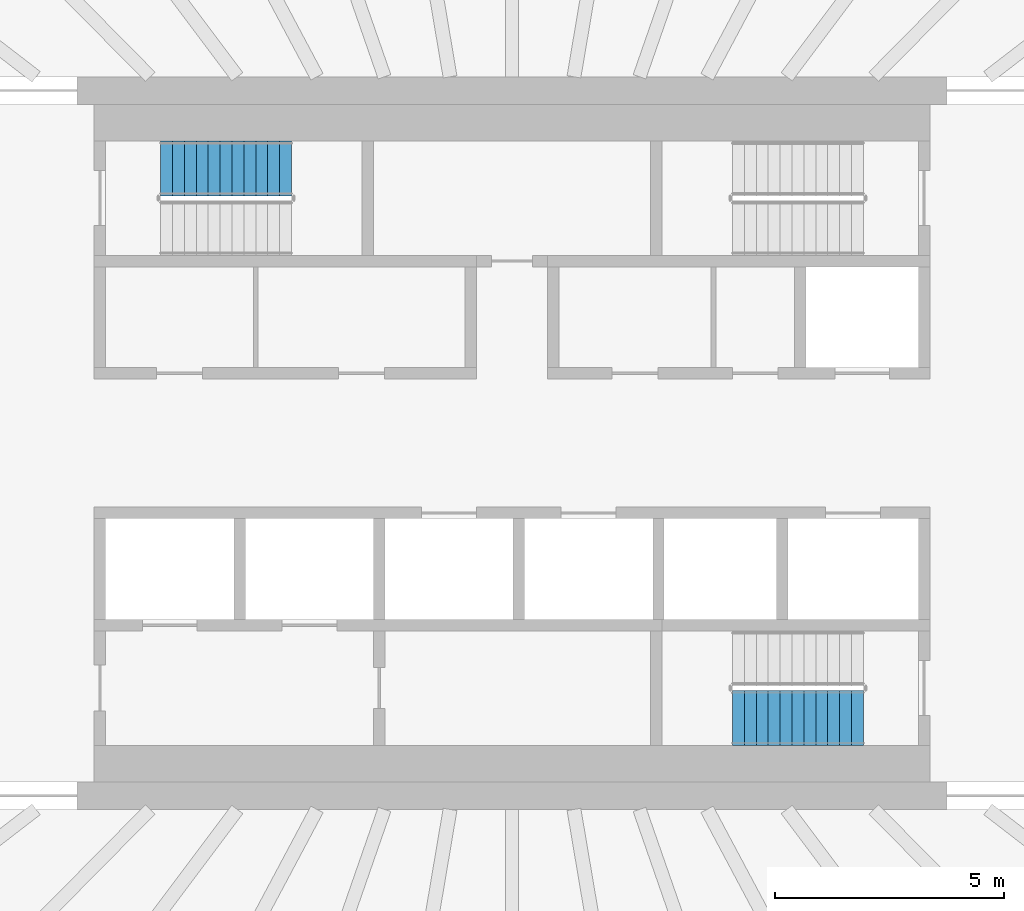
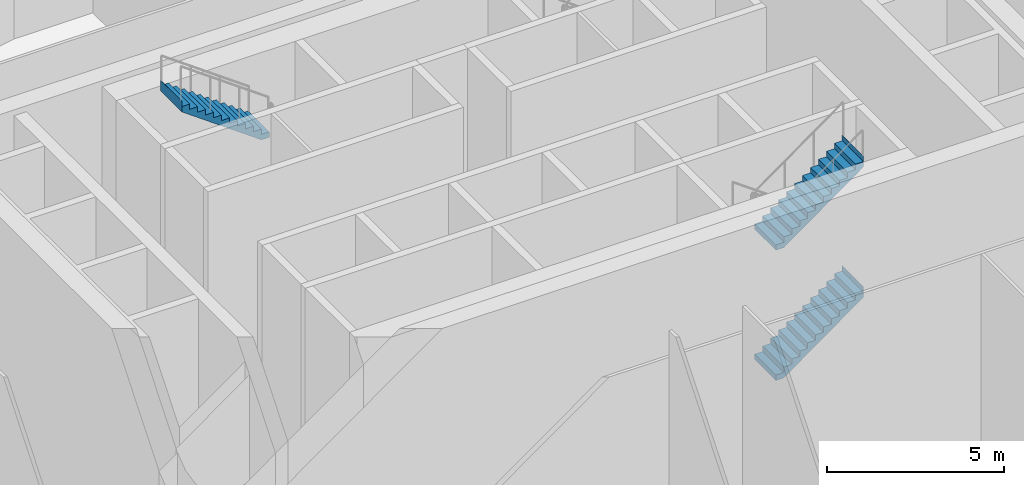
# One storey, part 20 of 35: 3 stair flights, 2 elements without a shape of their own.
"""IFC4 building model written with IfcOpenShell, lengths in metres."""

from ifc_helpers import new_model, si_unit, direction, frame, origin, place, context, subcontext, project, spatial, triangles, material, type_object, element, aggregate, save


model = new_model("IFC4")

# Units and contexts
model_context = context("Model", 3, precision=1e-05, world=origin(), true_north=direction((0.0, 1.0)))
body_context = subcontext(model_context, "Body", "Model", "MODEL_VIEW")
ifc_project = project(units=[si_unit("LENGTHUNIT", "METRE"), si_unit("AREAUNIT", "SQUARE_METRE"), si_unit("VOLUMEUNIT", "CUBIC_METRE"), si_unit("PLANEANGLEUNIT", "RADIAN"), si_unit("MASSUNIT", "GRAM", prefix="KILO")], contexts=[model_context])

# Site, building, storey
site_placement = place(None, origin())
site = spatial("IfcSite", under=ifc_project, at=site_placement, CompositionType="ELEMENT")
building_placement = place(site_placement, origin())
building = spatial("IfcBuilding", under=site, at=building_placement, Name="Sahrelin Media Tower", CompositionType="ELEMENT")
storey_placement = place(building_placement, frame((0.0, 0.0, 8.0)))
storey = spatial("IfcBuildingStorey", under=building, at=storey_placement, Name="L01", CompositionType="ELEMENT", Elevation=8.0)

# Stair, stair flight
ifc_material = material(Name="Concrete C40/50", Category="concrete")
stair_type = type_object("IfcStairType", Name="Exit stair 1200", PredefinedType="HALF_TURN_STAIR", material=ifc_material)
placement = place(storey_placement, origin())
stair_1 = element("IfcStair", 1, at=placement, inside=storey, type_object=stair_type, Name="L01 Exit stair ST1", PredefinedType="HALF_TURN_STAIR")
stair_flight_type = type_object("IfcStairFlightType", Name="Stair flight 1200", PredefinedType="STRAIGHT", material=ifc_material)
stair_flight_1_placement = place(storey_placement, frame((-4.81494140625, 6.0, 6.75), z_axis=(0.0, 0.0, 1.0), x_axis=(-1.0, 0.0, 0.0)))
stair_flight_1 = element("IfcStairFlight", 2, at=stair_flight_1_placement, type_object=stair_flight_type, Name="ST1 flight 4", NumberOfRisers=12, NumberOfTreads=11, PredefinedType="STRAIGHT", RiserHeight=0.1875, TreadLength=0.26, context=body_context, shape_type="Tessellation", body=[
    triangles([(0.25634765625, 0.60009765625, 0.0), (0.25634765625, 0.300048828125, 0.0), (0.25634765625, 0.0, 0.0), (0.25634765625, -0.300048828125, 0.0), (0.25634765625, -0.60009765625, 0.0), (2.860107421875, 0.60009765625, 1.877685546875), (2.860107421875, 0.300048828125, 1.877685546875), (2.860107421875, 0.0, 1.877685546875), (2.860107421875, -0.300048828125, 1.877685546875), (2.860107421875, -0.60009765625, 1.877685546875), (2.860107421875, 0.60009765625, 2.25), (2.860107421875, 0.300048828125, 2.25), (2.860107421875, 0.0, 2.25), (2.860107421875, -0.300048828125, 2.25), (2.860107421875, -0.60009765625, 2.25), (2.85791015625, 0.60009765625, 2.25), (2.85791015625, 0.300048828125, 2.25), (2.85791015625, 0.0, 2.25), (2.85791015625, -0.300048828125, 2.25), (2.85791015625, -0.60009765625, 2.25), (2.85791015625, 0.60009765625, 2.0625), (2.85791015625, 0.300048828125, 2.0625), (2.85791015625, 0.0, 2.0625), (2.85791015625, -0.300048828125, 2.0625), (2.85791015625, -0.60009765625, 2.0625), (2.60009765625, 0.60009765625, 2.0625), (2.60009765625, 0.300048828125, 2.0625), (2.60009765625, 0.0, 2.0625), (2.60009765625, -0.300048828125, 2.0625), (2.60009765625, -0.60009765625, 2.0625), (2.60009765625, 0.60009765625, 1.875), (2.60009765625, 0.300048828125, 1.875), (2.60009765625, 0.0, 1.875), (2.60009765625, -0.300048828125, 1.875), (2.60009765625, -0.60009765625, 1.875), (2.340087890625, 0.60009765625, 1.875), (2.340087890625, 0.300048828125, 1.875), (2.340087890625, 0.0, 1.875), (2.340087890625, -0.300048828125, 1.875), (2.340087890625, -0.60009765625, 1.875), (2.340087890625, 0.60009765625, 1.6875), (2.340087890625, 0.300048828125, 1.6875), (2.340087890625, 0.0, 1.6875), (2.340087890625, -0.300048828125, 1.6875), (2.340087890625, -0.60009765625, 1.6875), (2.080078125, 0.60009765625, 1.6875), (2.080078125, 0.300048828125, 1.6875), (2.080078125, 0.0, 1.6875), (2.080078125, -0.300048828125, 1.6875), (2.080078125, -0.60009765625, 1.6875), (2.080078125, 0.60009765625, 1.5), (2.080078125, 0.300048828125, 1.5), (2.080078125, 0.0, 1.5), (2.080078125, -0.300048828125, 1.5), (2.080078125, -0.60009765625, 1.5), (1.820068359375, 0.60009765625, 1.5), (1.820068359375, 0.300048828125, 1.5), (1.820068359375, 0.0, 1.5), (1.820068359375, -0.300048828125, 1.5), (1.820068359375, -0.60009765625, 1.5), (1.820068359375, 0.60009765625, 1.3125), (1.820068359375, 0.300048828125, 1.3125), (1.820068359375, 0.0, 1.3125), (1.820068359375, -0.300048828125, 1.3125), (1.820068359375, -0.60009765625, 1.3125), (1.56005859375, 0.60009765625, 1.3125), (1.56005859375, 0.300048828125, 1.3125), (1.56005859375, 0.0, 1.3125), (1.56005859375, -0.300048828125, 1.3125), (1.56005859375, -0.60009765625, 1.3125), (1.56005859375, 0.60009765625, 1.125), (1.56005859375, 0.300048828125, 1.125), (1.56005859375, 0.0, 1.125), (1.56005859375, -0.300048828125, 1.125), (1.56005859375, -0.60009765625, 1.125), (1.300048828125, 0.60009765625, 1.125), (1.300048828125, 0.300048828125, 1.125), (1.300048828125, 0.0, 1.125), (1.300048828125, -0.300048828125, 1.125), (1.300048828125, -0.60009765625, 1.125), (1.300048828125, 0.60009765625, 0.9375), (1.300048828125, 0.300048828125, 0.9375), (1.300048828125, 0.0, 0.9375), (1.300048828125, -0.300048828125, 0.9375), (1.300048828125, -0.60009765625, 0.9375), (1.0400390625, 0.60009765625, 0.9375), (1.0400390625, 0.300048828125, 0.9375), (1.0400390625, 0.0, 0.9375), (1.0400390625, -0.300048828125, 0.9375), (1.0400390625, -0.60009765625, 0.9375), (1.0400390625, 0.60009765625, 0.75), (1.0400390625, 0.300048828125, 0.75), (1.0400390625, 0.0, 0.75), (1.0400390625, -0.300048828125, 0.75), (1.0400390625, -0.60009765625, 0.75), (0.780029296875, 0.60009765625, 0.75), (0.780029296875, 0.300048828125, 0.75), (0.780029296875, 0.0, 0.75), (0.780029296875, -0.300048828125, 0.75), (0.780029296875, -0.60009765625, 0.75), (0.780029296875, 0.60009765625, 0.5625), (0.780029296875, 0.300048828125, 0.5625), (0.780029296875, 0.0, 0.5625), (0.780029296875, -0.300048828125, 0.5625), (0.780029296875, -0.60009765625, 0.5625), (0.52001953125, 0.60009765625, 0.5625), (0.52001953125, 0.300048828125, 0.5625), (0.52001953125, 0.0, 0.5625), (0.52001953125, -0.300048828125, 0.5625), (0.52001953125, -0.60009765625, 0.5625), (0.52001953125, 0.60009765625, 0.375), (0.52001953125, 0.300048828125, 0.375), (0.52001953125, 0.0, 0.375), (0.52001953125, -0.300048828125, 0.375), (0.52001953125, -0.60009765625, 0.375), (0.260009765625, 0.60009765625, 0.375), (0.260009765625, 0.300048828125, 0.375), (0.260009765625, 0.0, 0.375), (0.260009765625, -0.300048828125, 0.375), (0.260009765625, -0.60009765625, 0.375), (0.260009765625, 0.60009765625, 0.1875), (0.260009765625, 0.300048828125, 0.1875), (0.260009765625, 0.0, 0.1875), (0.260009765625, -0.300048828125, 0.1875), (0.260009765625, -0.60009765625, 0.1875), (0.0, 0.60009765625, 0.1875), (0.0, 0.300048828125, 0.1875), (0.0, 0.0, 0.1875), (0.0, -0.300048828125, 0.1875), (0.0, -0.60009765625, 0.1875), (0.0, 0.60009765625, 0.0), (0.0, 0.300048828125, 0.0), (0.0, 0.0, 0.0), (0.0, -0.300048828125, 0.0), (0.0, -0.60009765625, 0.0)], [[1, 6, 7], [1, 7, 2], [2, 7, 8], [2, 8, 3], [3, 8, 9], [3, 9, 4], [4, 9, 10], [4, 10, 5], [6, 11, 12], [6, 12, 7], [7, 12, 13], [7, 13, 8], [8, 13, 14], [8, 14, 9], [9, 14, 15], [9, 15, 10], [11, 16, 17], [11, 17, 12], [12, 17, 18], [12, 18, 13], [13, 18, 19], [13, 19, 14], [14, 19, 20], [14, 20, 15], [16, 21, 22], [16, 22, 17], [17, 22, 23], [17, 23, 18], [18, 23, 24], [18, 24, 19], [19, 24, 25], [19, 25, 20], [21, 26, 27], [21, 27, 22], [22, 27, 28], [22, 28, 23], [23, 28, 29], [23, 29, 24], [24, 29, 30], [24, 30, 25], [26, 31, 32], [26, 32, 27], [27, 32, 33], [27, 33, 28], [28, 33, 34], [28, 34, 29], [29, 34, 35], [29, 35, 30], [31, 36, 37], [31, 37, 32], [32, 37, 38], [32, 38, 33], [33, 38, 39], [33, 39, 34], [34, 39, 40], [34, 40, 35], [36, 41, 42], [36, 42, 37], [37, 42, 43], [37, 43, 38], [38, 43, 44], [38, 44, 39], [39, 44, 45], [39, 45, 40], [41, 46, 47], [41, 47, 42], [42, 47, 48], [42, 48, 43], [43, 48, 49], [43, 49, 44], [44, 49, 50], [44, 50, 45], [46, 51, 52], [46, 52, 47], [47, 52, 53], [47, 53, 48], [48, 53, 54], [48, 54, 49], [49, 54, 55], [49, 55, 50], [51, 56, 57], [51, 57, 52], [52, 57, 58], [52, 58, 53], [53, 58, 59], [53, 59, 54], [54, 59, 60], [54, 60, 55], [56, 61, 62], [56, 62, 57], [57, 62, 63], [57, 63, 58], [58, 63, 64], [58, 64, 59], [59, 64, 65], [59, 65, 60], [61, 66, 67], [61, 67, 62], [62, 67, 68], [62, 68, 63], [63, 68, 69], [63, 69, 64], [64, 69, 70], [64, 70, 65], [66, 71, 72], [66, 72, 67], [67, 72, 73], [67, 73, 68], [68, 73, 74], [68, 74, 69], [69, 74, 75], [69, 75, 70], [71, 76, 77], [71, 77, 72], [72, 77, 78], [72, 78, 73], [73, 78, 79], [73, 79, 74], [74, 79, 80], [74, 80, 75], [76, 81, 82], [76, 82, 77], [77, 82, 83], [77, 83, 78], [78, 83, 84], [78, 84, 79], [79, 84, 85], [79, 85, 80], [81, 86, 87], [81, 87, 82], [82, 87, 88], [82, 88, 83], [83, 88, 89], [83, 89, 84], [84, 89, 90], [84, 90, 85], [86, 91, 92], [86, 92, 87], [87, 92, 93], [87, 93, 88], [88, 93, 94], [88, 94, 89], [89, 94, 95], [89, 95, 90], [91, 96, 97], [91, 97, 92], [92, 97, 98], [92, 98, 93], [93, 98, 99], [93, 99, 94], [94, 99, 100], [94, 100, 95], [96, 101, 102], [96, 102, 97], [97, 102, 103], [97, 103, 98], [98, 103, 104], [98, 104, 99], [99, 104, 105], [99, 105, 100], [101, 106, 107], [101, 107, 102], [102, 107, 108], [102, 108, 103], [103, 108, 109], [103, 109, 104], [104, 109, 110], [104, 110, 105], [106, 111, 112], [106, 112, 107], [107, 112, 113], [107, 113, 108], [108, 113, 114], [108, 114, 109], [109, 114, 115], [109, 115, 110], [111, 116, 117], [111, 117, 112], [112, 117, 118], [112, 118, 113], [113, 118, 119], [113, 119, 114], [114, 119, 120], [114, 120, 115], [116, 121, 122], [116, 122, 117], [117, 122, 123], [117, 123, 118], [118, 123, 124], [118, 124, 119], [119, 124, 125], [119, 125, 120], [121, 126, 127], [121, 127, 122], [122, 127, 128], [122, 128, 123], [123, 128, 129], [123, 129, 124], [124, 129, 130], [124, 130, 125], [126, 131, 132], [126, 132, 127], [127, 132, 133], [127, 133, 128], [128, 133, 134], [128, 134, 129], [129, 134, 135], [129, 135, 130], [131, 1, 2], [131, 2, 132], [132, 2, 3], [132, 3, 133], [133, 3, 4], [133, 4, 134], [134, 4, 5], [134, 5, 135], [5, 130, 135], [1, 131, 126], [125, 115, 120], [121, 116, 111], [115, 105, 110], [111, 106, 101], [105, 95, 100], [101, 96, 91], [95, 85, 90], [91, 86, 81], [85, 75, 80], [81, 76, 71], [75, 65, 70], [71, 66, 61], [65, 55, 60], [61, 56, 51], [55, 45, 50], [51, 46, 41], [45, 35, 40], [41, 36, 31], [35, 25, 30], [31, 26, 21], [25, 15, 20], [21, 16, 11], [5, 125, 130], [1, 126, 121], [10, 35, 45], [6, 41, 31], [25, 10, 15], [21, 11, 6], [115, 125, 5], [111, 1, 121], [35, 10, 25], [31, 21, 6], [105, 115, 5], [101, 1, 111], [45, 55, 10], [41, 6, 51], [95, 105, 5], [91, 1, 101], [65, 10, 55], [61, 51, 6], [85, 95, 5], [81, 1, 91], [75, 10, 65], [71, 61, 6], [75, 85, 5], [71, 1, 81], [5, 10, 75], [1, 71, 6]], closed=True),
])
aggregate(stair_1, [stair_flight_1])

# Stair, stair flights
stair_2 = element("IfcStair", 3, at=placement, inside=storey, type_object=stair_type, Name="L01 Exit stair ST2", PredefinedType="HALF_TURN_STAIR")
stair_flight_2_placement = place(storey_placement, frame((4.81494140625, -6.0, 2.25), z_axis=(0.0, 0.0, 1.0), x_axis=(1.0, 0.0, 0.0)))
stair_flight_2 = element("IfcStairFlight", 4, at=stair_flight_2_placement, type_object=stair_flight_type, Name="ST2 flight 2", NumberOfRisers=12, NumberOfTreads=11, PredefinedType="STRAIGHT", RiserHeight=0.1875, TreadLength=0.26, context=body_context, shape_type="Tessellation", body=[
    triangles([(0.25634765625, 0.60009765625, 0.0), (0.25634765625, 0.300048828125, 0.0), (0.25634765625, 0.0, 0.0), (0.25634765625, -0.300048828125, 0.0), (0.25634765625, -0.60009765625, 0.0), (2.860107421875, 0.60009765625, 1.877685546875), (2.860107421875, 0.300048828125, 1.877685546875), (2.860107421875, 0.0, 1.877685546875), (2.860107421875, -0.300048828125, 1.877685546875), (2.860107421875, -0.60009765625, 1.877685546875), (2.860107421875, 0.60009765625, 2.25), (2.860107421875, 0.300048828125, 2.25), (2.860107421875, 0.0, 2.25), (2.860107421875, -0.300048828125, 2.25), (2.860107421875, -0.60009765625, 2.25), (2.85791015625, 0.60009765625, 2.25), (2.85791015625, 0.300048828125, 2.25), (2.85791015625, 0.0, 2.25), (2.85791015625, -0.300048828125, 2.25), (2.85791015625, -0.60009765625, 2.25), (2.85791015625, 0.60009765625, 2.0625), (2.85791015625, 0.300048828125, 2.0625), (2.85791015625, 0.0, 2.0625), (2.85791015625, -0.300048828125, 2.0625), (2.85791015625, -0.60009765625, 2.0625), (2.60009765625, 0.60009765625, 2.0625), (2.60009765625, 0.300048828125, 2.0625), (2.60009765625, 0.0, 2.0625), (2.60009765625, -0.300048828125, 2.0625), (2.60009765625, -0.60009765625, 2.0625), (2.60009765625, 0.60009765625, 1.875), (2.60009765625, 0.300048828125, 1.875), (2.60009765625, 0.0, 1.875), (2.60009765625, -0.300048828125, 1.875), (2.60009765625, -0.60009765625, 1.875), (2.340087890625, 0.60009765625, 1.875), (2.340087890625, 0.300048828125, 1.875), (2.340087890625, 0.0, 1.875), (2.340087890625, -0.300048828125, 1.875), (2.340087890625, -0.60009765625, 1.875), (2.340087890625, 0.60009765625, 1.6875), (2.340087890625, 0.300048828125, 1.6875), (2.340087890625, 0.0, 1.6875), (2.340087890625, -0.300048828125, 1.6875), (2.340087890625, -0.60009765625, 1.6875), (2.080078125, 0.60009765625, 1.6875), (2.080078125, 0.300048828125, 1.6875), (2.080078125, 0.0, 1.6875), (2.080078125, -0.300048828125, 1.6875), (2.080078125, -0.60009765625, 1.6875), (2.080078125, 0.60009765625, 1.5), (2.080078125, 0.300048828125, 1.5), (2.080078125, 0.0, 1.5), (2.080078125, -0.300048828125, 1.5), (2.080078125, -0.60009765625, 1.5), (1.820068359375, 0.60009765625, 1.5), (1.820068359375, 0.300048828125, 1.5), (1.820068359375, 0.0, 1.5), (1.820068359375, -0.300048828125, 1.5), (1.820068359375, -0.60009765625, 1.5), (1.820068359375, 0.60009765625, 1.3125), (1.820068359375, 0.300048828125, 1.3125), (1.820068359375, 0.0, 1.3125), (1.820068359375, -0.300048828125, 1.3125), (1.820068359375, -0.60009765625, 1.3125), (1.56005859375, 0.60009765625, 1.3125), (1.56005859375, 0.300048828125, 1.3125), (1.56005859375, 0.0, 1.3125), (1.56005859375, -0.300048828125, 1.3125), (1.56005859375, -0.60009765625, 1.3125), (1.56005859375, 0.60009765625, 1.125), (1.56005859375, 0.300048828125, 1.125), (1.56005859375, 0.0, 1.125), (1.56005859375, -0.300048828125, 1.125), (1.56005859375, -0.60009765625, 1.125), (1.300048828125, 0.60009765625, 1.125), (1.300048828125, 0.300048828125, 1.125), (1.300048828125, 0.0, 1.125), (1.300048828125, -0.300048828125, 1.125), (1.300048828125, -0.60009765625, 1.125), (1.300048828125, 0.60009765625, 0.9375), (1.300048828125, 0.300048828125, 0.9375), (1.300048828125, 0.0, 0.9375), (1.300048828125, -0.300048828125, 0.9375), (1.300048828125, -0.60009765625, 0.9375), (1.0400390625, 0.60009765625, 0.9375), (1.0400390625, 0.300048828125, 0.9375), (1.0400390625, 0.0, 0.9375), (1.0400390625, -0.300048828125, 0.9375), (1.0400390625, -0.60009765625, 0.9375), (1.0400390625, 0.60009765625, 0.75), (1.0400390625, 0.300048828125, 0.75), (1.0400390625, 0.0, 0.75), (1.0400390625, -0.300048828125, 0.75), (1.0400390625, -0.60009765625, 0.75), (0.780029296875, 0.60009765625, 0.75), (0.780029296875, 0.300048828125, 0.75), (0.780029296875, 0.0, 0.75), (0.780029296875, -0.300048828125, 0.75), (0.780029296875, -0.60009765625, 0.75), (0.780029296875, 0.60009765625, 0.5625), (0.780029296875, 0.300048828125, 0.5625), (0.780029296875, 0.0, 0.5625), (0.780029296875, -0.300048828125, 0.5625), (0.780029296875, -0.60009765625, 0.5625), (0.52001953125, 0.60009765625, 0.5625), (0.52001953125, 0.300048828125, 0.5625), (0.52001953125, 0.0, 0.5625), (0.52001953125, -0.300048828125, 0.5625), (0.52001953125, -0.60009765625, 0.5625), (0.52001953125, 0.60009765625, 0.375), (0.52001953125, 0.300048828125, 0.375), (0.52001953125, 0.0, 0.375), (0.52001953125, -0.300048828125, 0.375), (0.52001953125, -0.60009765625, 0.375), (0.260009765625, 0.60009765625, 0.375), (0.260009765625, 0.300048828125, 0.375), (0.260009765625, 0.0, 0.375), (0.260009765625, -0.300048828125, 0.375), (0.260009765625, -0.60009765625, 0.375), (0.260009765625, 0.60009765625, 0.1875), (0.260009765625, 0.300048828125, 0.1875), (0.260009765625, 0.0, 0.1875), (0.260009765625, -0.300048828125, 0.1875), (0.260009765625, -0.60009765625, 0.1875), (0.0, 0.60009765625, 0.1875), (0.0, 0.300048828125, 0.1875), (0.0, 0.0, 0.1875), (0.0, -0.300048828125, 0.1875), (0.0, -0.60009765625, 0.1875), (0.0, 0.60009765625, 0.0), (0.0, 0.300048828125, 0.0), (0.0, 0.0, 0.0), (0.0, -0.300048828125, 0.0), (0.0, -0.60009765625, 0.0)], [[1, 6, 7], [1, 7, 2], [2, 7, 8], [2, 8, 3], [3, 8, 9], [3, 9, 4], [4, 9, 10], [4, 10, 5], [6, 11, 12], [6, 12, 7], [7, 12, 13], [7, 13, 8], [8, 13, 14], [8, 14, 9], [9, 14, 15], [9, 15, 10], [11, 16, 17], [11, 17, 12], [12, 17, 18], [12, 18, 13], [13, 18, 19], [13, 19, 14], [14, 19, 20], [14, 20, 15], [16, 21, 22], [16, 22, 17], [17, 22, 23], [17, 23, 18], [18, 23, 24], [18, 24, 19], [19, 24, 25], [19, 25, 20], [21, 26, 27], [21, 27, 22], [22, 27, 28], [22, 28, 23], [23, 28, 29], [23, 29, 24], [24, 29, 30], [24, 30, 25], [26, 31, 32], [26, 32, 27], [27, 32, 33], [27, 33, 28], [28, 33, 34], [28, 34, 29], [29, 34, 35], [29, 35, 30], [31, 36, 37], [31, 37, 32], [32, 37, 38], [32, 38, 33], [33, 38, 39], [33, 39, 34], [34, 39, 40], [34, 40, 35], [36, 41, 42], [36, 42, 37], [37, 42, 43], [37, 43, 38], [38, 43, 44], [38, 44, 39], [39, 44, 45], [39, 45, 40], [41, 46, 47], [41, 47, 42], [42, 47, 48], [42, 48, 43], [43, 48, 49], [43, 49, 44], [44, 49, 50], [44, 50, 45], [46, 51, 52], [46, 52, 47], [47, 52, 53], [47, 53, 48], [48, 53, 54], [48, 54, 49], [49, 54, 55], [49, 55, 50], [51, 56, 57], [51, 57, 52], [52, 57, 58], [52, 58, 53], [53, 58, 59], [53, 59, 54], [54, 59, 60], [54, 60, 55], [56, 61, 62], [56, 62, 57], [57, 62, 63], [57, 63, 58], [58, 63, 64], [58, 64, 59], [59, 64, 65], [59, 65, 60], [61, 66, 67], [61, 67, 62], [62, 67, 68], [62, 68, 63], [63, 68, 69], [63, 69, 64], [64, 69, 70], [64, 70, 65], [66, 71, 72], [66, 72, 67], [67, 72, 73], [67, 73, 68], [68, 73, 74], [68, 74, 69], [69, 74, 75], [69, 75, 70], [71, 76, 77], [71, 77, 72], [72, 77, 78], [72, 78, 73], [73, 78, 79], [73, 79, 74], [74, 79, 80], [74, 80, 75], [76, 81, 82], [76, 82, 77], [77, 82, 83], [77, 83, 78], [78, 83, 84], [78, 84, 79], [79, 84, 85], [79, 85, 80], [81, 86, 87], [81, 87, 82], [82, 87, 88], [82, 88, 83], [83, 88, 89], [83, 89, 84], [84, 89, 90], [84, 90, 85], [86, 91, 92], [86, 92, 87], [87, 92, 93], [87, 93, 88], [88, 93, 94], [88, 94, 89], [89, 94, 95], [89, 95, 90], [91, 96, 97], [91, 97, 92], [92, 97, 98], [92, 98, 93], [93, 98, 99], [93, 99, 94], [94, 99, 100], [94, 100, 95], [96, 101, 102], [96, 102, 97], [97, 102, 103], [97, 103, 98], [98, 103, 104], [98, 104, 99], [99, 104, 105], [99, 105, 100], [101, 106, 107], [101, 107, 102], [102, 107, 108], [102, 108, 103], [103, 108, 109], [103, 109, 104], [104, 109, 110], [104, 110, 105], [106, 111, 112], [106, 112, 107], [107, 112, 113], [107, 113, 108], [108, 113, 114], [108, 114, 109], [109, 114, 115], [109, 115, 110], [111, 116, 117], [111, 117, 112], [112, 117, 118], [112, 118, 113], [113, 118, 119], [113, 119, 114], [114, 119, 120], [114, 120, 115], [116, 121, 122], [116, 122, 117], [117, 122, 123], [117, 123, 118], [118, 123, 124], [118, 124, 119], [119, 124, 125], [119, 125, 120], [121, 126, 127], [121, 127, 122], [122, 127, 128], [122, 128, 123], [123, 128, 129], [123, 129, 124], [124, 129, 130], [124, 130, 125], [126, 131, 132], [126, 132, 127], [127, 132, 133], [127, 133, 128], [128, 133, 134], [128, 134, 129], [129, 134, 135], [129, 135, 130], [131, 1, 2], [131, 2, 132], [132, 2, 3], [132, 3, 133], [133, 3, 4], [133, 4, 134], [134, 4, 5], [134, 5, 135], [5, 130, 135], [1, 131, 126], [125, 115, 120], [121, 116, 111], [115, 105, 110], [111, 106, 101], [105, 95, 100], [101, 96, 91], [95, 85, 90], [91, 86, 81], [85, 75, 80], [81, 76, 71], [75, 65, 70], [71, 66, 61], [65, 55, 60], [61, 56, 51], [55, 45, 50], [51, 46, 41], [45, 35, 40], [41, 36, 31], [35, 25, 30], [31, 26, 21], [25, 15, 20], [21, 16, 11], [5, 125, 130], [1, 126, 121], [10, 35, 45], [6, 41, 31], [25, 10, 15], [21, 11, 6], [115, 125, 5], [111, 1, 121], [35, 10, 25], [31, 21, 6], [105, 115, 5], [101, 1, 111], [45, 55, 10], [41, 6, 51], [95, 105, 5], [91, 1, 101], [65, 10, 55], [61, 51, 6], [85, 95, 5], [81, 1, 91], [75, 10, 65], [71, 61, 6], [75, 85, 5], [71, 1, 81], [5, 10, 75], [1, 71, 6]], closed=True),
])
stair_flight_3_placement = place(storey_placement, frame((4.81494140625, -6.0, 6.75), z_axis=(0.0, 0.0, 1.0), x_axis=(1.0, 0.0, 0.0)))
stair_flight_3 = element("IfcStairFlight", 5, at=stair_flight_3_placement, type_object=stair_flight_type, Name="ST2 flight 4", NumberOfRisers=12, NumberOfTreads=11, PredefinedType="STRAIGHT", RiserHeight=0.1875, TreadLength=0.26, context=body_context, shape_type="Tessellation", body=[
    triangles([(0.25634765625, 0.60009765625, 0.0), (0.25634765625, 0.300048828125, 0.0), (0.25634765625, 0.0, 0.0), (0.25634765625, -0.300048828125, 0.0), (0.25634765625, -0.60009765625, 0.0), (2.860107421875, 0.60009765625, 1.877685546875), (2.860107421875, 0.300048828125, 1.877685546875), (2.860107421875, 0.0, 1.877685546875), (2.860107421875, -0.300048828125, 1.877685546875), (2.860107421875, -0.60009765625, 1.877685546875), (2.860107421875, 0.60009765625, 2.25), (2.860107421875, 0.300048828125, 2.25), (2.860107421875, 0.0, 2.25), (2.860107421875, -0.300048828125, 2.25), (2.860107421875, -0.60009765625, 2.25), (2.85791015625, 0.60009765625, 2.25), (2.85791015625, 0.300048828125, 2.25), (2.85791015625, 0.0, 2.25), (2.85791015625, -0.300048828125, 2.25), (2.85791015625, -0.60009765625, 2.25), (2.85791015625, 0.60009765625, 2.0625), (2.85791015625, 0.300048828125, 2.0625), (2.85791015625, 0.0, 2.0625), (2.85791015625, -0.300048828125, 2.0625), (2.85791015625, -0.60009765625, 2.0625), (2.60009765625, 0.60009765625, 2.0625), (2.60009765625, 0.300048828125, 2.0625), (2.60009765625, 0.0, 2.0625), (2.60009765625, -0.300048828125, 2.0625), (2.60009765625, -0.60009765625, 2.0625), (2.60009765625, 0.60009765625, 1.875), (2.60009765625, 0.300048828125, 1.875), (2.60009765625, 0.0, 1.875), (2.60009765625, -0.300048828125, 1.875), (2.60009765625, -0.60009765625, 1.875), (2.340087890625, 0.60009765625, 1.875), (2.340087890625, 0.300048828125, 1.875), (2.340087890625, 0.0, 1.875), (2.340087890625, -0.300048828125, 1.875), (2.340087890625, -0.60009765625, 1.875), (2.340087890625, 0.60009765625, 1.6875), (2.340087890625, 0.300048828125, 1.6875), (2.340087890625, 0.0, 1.6875), (2.340087890625, -0.300048828125, 1.6875), (2.340087890625, -0.60009765625, 1.6875), (2.080078125, 0.60009765625, 1.6875), (2.080078125, 0.300048828125, 1.6875), (2.080078125, 0.0, 1.6875), (2.080078125, -0.300048828125, 1.6875), (2.080078125, -0.60009765625, 1.6875), (2.080078125, 0.60009765625, 1.5), (2.080078125, 0.300048828125, 1.5), (2.080078125, 0.0, 1.5), (2.080078125, -0.300048828125, 1.5), (2.080078125, -0.60009765625, 1.5), (1.820068359375, 0.60009765625, 1.5), (1.820068359375, 0.300048828125, 1.5), (1.820068359375, 0.0, 1.5), (1.820068359375, -0.300048828125, 1.5), (1.820068359375, -0.60009765625, 1.5), (1.820068359375, 0.60009765625, 1.3125), (1.820068359375, 0.300048828125, 1.3125), (1.820068359375, 0.0, 1.3125), (1.820068359375, -0.300048828125, 1.3125), (1.820068359375, -0.60009765625, 1.3125), (1.56005859375, 0.60009765625, 1.3125), (1.56005859375, 0.300048828125, 1.3125), (1.56005859375, 0.0, 1.3125), (1.56005859375, -0.300048828125, 1.3125), (1.56005859375, -0.60009765625, 1.3125), (1.56005859375, 0.60009765625, 1.125), (1.56005859375, 0.300048828125, 1.125), (1.56005859375, 0.0, 1.125), (1.56005859375, -0.300048828125, 1.125), (1.56005859375, -0.60009765625, 1.125), (1.300048828125, 0.60009765625, 1.125), (1.300048828125, 0.300048828125, 1.125), (1.300048828125, 0.0, 1.125), (1.300048828125, -0.300048828125, 1.125), (1.300048828125, -0.60009765625, 1.125), (1.300048828125, 0.60009765625, 0.9375), (1.300048828125, 0.300048828125, 0.9375), (1.300048828125, 0.0, 0.9375), (1.300048828125, -0.300048828125, 0.9375), (1.300048828125, -0.60009765625, 0.9375), (1.0400390625, 0.60009765625, 0.9375), (1.0400390625, 0.300048828125, 0.9375), (1.0400390625, 0.0, 0.9375), (1.0400390625, -0.300048828125, 0.9375), (1.0400390625, -0.60009765625, 0.9375), (1.0400390625, 0.60009765625, 0.75), (1.0400390625, 0.300048828125, 0.75), (1.0400390625, 0.0, 0.75), (1.0400390625, -0.300048828125, 0.75), (1.0400390625, -0.60009765625, 0.75), (0.780029296875, 0.60009765625, 0.75), (0.780029296875, 0.300048828125, 0.75), (0.780029296875, 0.0, 0.75), (0.780029296875, -0.300048828125, 0.75), (0.780029296875, -0.60009765625, 0.75), (0.780029296875, 0.60009765625, 0.5625), (0.780029296875, 0.300048828125, 0.5625), (0.780029296875, 0.0, 0.5625), (0.780029296875, -0.300048828125, 0.5625), (0.780029296875, -0.60009765625, 0.5625), (0.52001953125, 0.60009765625, 0.5625), (0.52001953125, 0.300048828125, 0.5625), (0.52001953125, 0.0, 0.5625), (0.52001953125, -0.300048828125, 0.5625), (0.52001953125, -0.60009765625, 0.5625), (0.52001953125, 0.60009765625, 0.375), (0.52001953125, 0.300048828125, 0.375), (0.52001953125, 0.0, 0.375), (0.52001953125, -0.300048828125, 0.375), (0.52001953125, -0.60009765625, 0.375), (0.260009765625, 0.60009765625, 0.375), (0.260009765625, 0.300048828125, 0.375), (0.260009765625, 0.0, 0.375), (0.260009765625, -0.300048828125, 0.375), (0.260009765625, -0.60009765625, 0.375), (0.260009765625, 0.60009765625, 0.1875), (0.260009765625, 0.300048828125, 0.1875), (0.260009765625, 0.0, 0.1875), (0.260009765625, -0.300048828125, 0.1875), (0.260009765625, -0.60009765625, 0.1875), (0.0, 0.60009765625, 0.1875), (0.0, 0.300048828125, 0.1875), (0.0, 0.0, 0.1875), (0.0, -0.300048828125, 0.1875), (0.0, -0.60009765625, 0.1875), (0.0, 0.60009765625, 0.0), (0.0, 0.300048828125, 0.0), (0.0, 0.0, 0.0), (0.0, -0.300048828125, 0.0), (0.0, -0.60009765625, 0.0)], [[1, 6, 7], [1, 7, 2], [2, 7, 8], [2, 8, 3], [3, 8, 9], [3, 9, 4], [4, 9, 10], [4, 10, 5], [6, 11, 12], [6, 12, 7], [7, 12, 13], [7, 13, 8], [8, 13, 14], [8, 14, 9], [9, 14, 15], [9, 15, 10], [11, 16, 17], [11, 17, 12], [12, 17, 18], [12, 18, 13], [13, 18, 19], [13, 19, 14], [14, 19, 20], [14, 20, 15], [16, 21, 22], [16, 22, 17], [17, 22, 23], [17, 23, 18], [18, 23, 24], [18, 24, 19], [19, 24, 25], [19, 25, 20], [21, 26, 27], [21, 27, 22], [22, 27, 28], [22, 28, 23], [23, 28, 29], [23, 29, 24], [24, 29, 30], [24, 30, 25], [26, 31, 32], [26, 32, 27], [27, 32, 33], [27, 33, 28], [28, 33, 34], [28, 34, 29], [29, 34, 35], [29, 35, 30], [31, 36, 37], [31, 37, 32], [32, 37, 38], [32, 38, 33], [33, 38, 39], [33, 39, 34], [34, 39, 40], [34, 40, 35], [36, 41, 42], [36, 42, 37], [37, 42, 43], [37, 43, 38], [38, 43, 44], [38, 44, 39], [39, 44, 45], [39, 45, 40], [41, 46, 47], [41, 47, 42], [42, 47, 48], [42, 48, 43], [43, 48, 49], [43, 49, 44], [44, 49, 50], [44, 50, 45], [46, 51, 52], [46, 52, 47], [47, 52, 53], [47, 53, 48], [48, 53, 54], [48, 54, 49], [49, 54, 55], [49, 55, 50], [51, 56, 57], [51, 57, 52], [52, 57, 58], [52, 58, 53], [53, 58, 59], [53, 59, 54], [54, 59, 60], [54, 60, 55], [56, 61, 62], [56, 62, 57], [57, 62, 63], [57, 63, 58], [58, 63, 64], [58, 64, 59], [59, 64, 65], [59, 65, 60], [61, 66, 67], [61, 67, 62], [62, 67, 68], [62, 68, 63], [63, 68, 69], [63, 69, 64], [64, 69, 70], [64, 70, 65], [66, 71, 72], [66, 72, 67], [67, 72, 73], [67, 73, 68], [68, 73, 74], [68, 74, 69], [69, 74, 75], [69, 75, 70], [71, 76, 77], [71, 77, 72], [72, 77, 78], [72, 78, 73], [73, 78, 79], [73, 79, 74], [74, 79, 80], [74, 80, 75], [76, 81, 82], [76, 82, 77], [77, 82, 83], [77, 83, 78], [78, 83, 84], [78, 84, 79], [79, 84, 85], [79, 85, 80], [81, 86, 87], [81, 87, 82], [82, 87, 88], [82, 88, 83], [83, 88, 89], [83, 89, 84], [84, 89, 90], [84, 90, 85], [86, 91, 92], [86, 92, 87], [87, 92, 93], [87, 93, 88], [88, 93, 94], [88, 94, 89], [89, 94, 95], [89, 95, 90], [91, 96, 97], [91, 97, 92], [92, 97, 98], [92, 98, 93], [93, 98, 99], [93, 99, 94], [94, 99, 100], [94, 100, 95], [96, 101, 102], [96, 102, 97], [97, 102, 103], [97, 103, 98], [98, 103, 104], [98, 104, 99], [99, 104, 105], [99, 105, 100], [101, 106, 107], [101, 107, 102], [102, 107, 108], [102, 108, 103], [103, 108, 109], [103, 109, 104], [104, 109, 110], [104, 110, 105], [106, 111, 112], [106, 112, 107], [107, 112, 113], [107, 113, 108], [108, 113, 114], [108, 114, 109], [109, 114, 115], [109, 115, 110], [111, 116, 117], [111, 117, 112], [112, 117, 118], [112, 118, 113], [113, 118, 119], [113, 119, 114], [114, 119, 120], [114, 120, 115], [116, 121, 122], [116, 122, 117], [117, 122, 123], [117, 123, 118], [118, 123, 124], [118, 124, 119], [119, 124, 125], [119, 125, 120], [121, 126, 127], [121, 127, 122], [122, 127, 128], [122, 128, 123], [123, 128, 129], [123, 129, 124], [124, 129, 130], [124, 130, 125], [126, 131, 132], [126, 132, 127], [127, 132, 133], [127, 133, 128], [128, 133, 134], [128, 134, 129], [129, 134, 135], [129, 135, 130], [131, 1, 2], [131, 2, 132], [132, 2, 3], [132, 3, 133], [133, 3, 4], [133, 4, 134], [134, 4, 5], [134, 5, 135], [5, 130, 135], [1, 131, 126], [125, 115, 120], [121, 116, 111], [115, 105, 110], [111, 106, 101], [105, 95, 100], [101, 96, 91], [95, 85, 90], [91, 86, 81], [85, 75, 80], [81, 76, 71], [75, 65, 70], [71, 66, 61], [65, 55, 60], [61, 56, 51], [55, 45, 50], [51, 46, 41], [45, 35, 40], [41, 36, 31], [35, 25, 30], [31, 26, 21], [25, 15, 20], [21, 16, 11], [5, 125, 130], [1, 126, 121], [10, 35, 45], [6, 41, 31], [25, 10, 15], [21, 11, 6], [115, 125, 5], [111, 1, 121], [35, 10, 25], [31, 21, 6], [105, 115, 5], [101, 1, 111], [45, 55, 10], [41, 6, 51], [95, 105, 5], [91, 1, 101], [65, 10, 55], [61, 51, 6], [85, 95, 5], [81, 1, 91], [75, 10, 65], [71, 61, 6], [75, 85, 5], [71, 1, 81], [5, 10, 75], [1, 71, 6]], closed=True),
])
aggregate(stair_2, [stair_flight_2, stair_flight_3])

save(model, "model.ifc")
